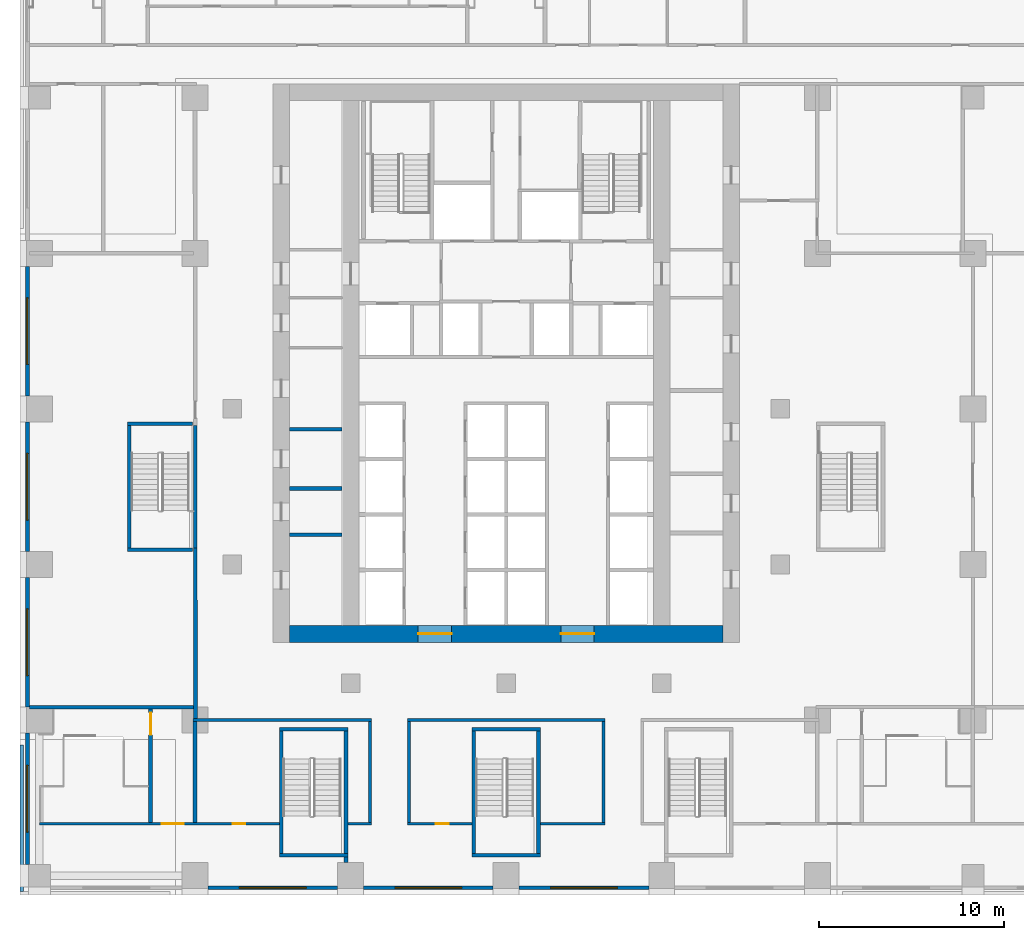
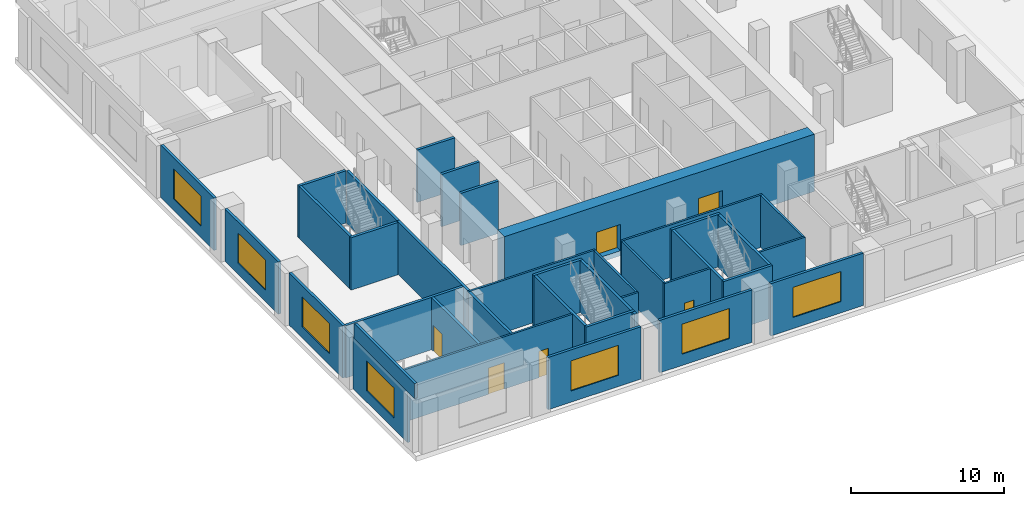
# One storey, part 3 of 16: 37 walls, 7 windows, 6 doors, 13 openings.
"""IFC4 building model written with IfcOpenShell, lengths in metres."""

from ifc_helpers import new_model, si_unit, direction, frame, frame_2d, origin, place, context, subcontext, project, spatial, rectangle, extrude, material, layer, layer_set, type_object, element, fill, save


model = new_model("IFC4")

# Units and contexts
model_context = context("Model", 3, precision=1e-05, world=origin(), true_north=direction((0.0, 1.0)))
body_context = subcontext(model_context, "Body", "Model", "MODEL_VIEW")
ifc_project = project(units=[si_unit("LENGTHUNIT", "METRE"), si_unit("AREAUNIT", "SQUARE_METRE"), si_unit("VOLUMEUNIT", "CUBIC_METRE"), si_unit("PLANEANGLEUNIT", "RADIAN"), si_unit("MASSUNIT", "GRAM", prefix="KILO")], contexts=[model_context])

# Site, building, storey
site_placement = place(None, origin())
site = spatial("IfcSite", under=ifc_project, at=site_placement, CompositionType="ELEMENT")
building_placement = place(site_placement, origin())
building = spatial("IfcBuilding", under=site, at=building_placement, Name="Vermilion Ogive Tower", CompositionType="ELEMENT")
storey_placement = place(building_placement, frame((0.0, 0.0, 30.0)))
storey = spatial("IfcBuildingStorey", under=building, at=storey_placement, Name="L05", CompositionType="ELEMENT", Elevation=30.0)

# Wall, openings, doors
ifc_material_1 = material(Name="Concrete B80", Category="concrete")
ifc_layer_1 = layer(ifc_material_1, 0.89990234375)
ifc_layer_set_1 = layer_set([ifc_layer_1], Name="Core wall 900 B80")
wall_type_1 = type_object("IfcWallType", Name="Core wall 900 B80", PredefinedType="SHEAR", material=ifc_layer_set_1)
wall_1_placement = place(storey_placement, frame((-11.699951171875, -7.949951171875, -0.39990234375), z_axis=(0.0, 0.0, 1.0), x_axis=(1.0, 0.0, 0.0)))
wall_1 = element("IfcWall", 1, at=wall_1_placement, inside=storey, type_object=wall_type_1, Name="L05-CORE-S", PredefinedType="SHEAR", context=body_context, shape_type="SweptSolid", body=[
    extrude(rectangle(XDim=23.39990234375, YDim=0.89990234375, at=frame_2d((11.699951171875, 0.0))), origin(), (0.0, 0.0, 1.0), 4.579833984375),
])
opening_1_placement = place(wall_1_placement, frame((6.949951171875, 0.0, 0.39990234375)))
opening_1 = element("IfcOpeningElement", 2, at=opening_1_placement, cuts=wall_1, Name="Opening DAR011", PredefinedType="OPENING", context=body_context, shape_type="SweptSolid", body=[
    extrude(rectangle(XDim=1.800048828125, YDim=2.10009765625, at=frame_2d((0.89990234375, 1.050048828125))), frame((0.0, 0.4599609375, 0.0), z_axis=(0.0, -1.0, 0.0), x_axis=(1.0, 0.0, 0.0)), (0.0, 0.0, 1.0), 0.919921875),
])
opening_2_placement = place(wall_1_placement, frame((14.64990234375, 0.0, 0.39990234375)))
opening_2 = element("IfcOpeningElement", 3, at=opening_2_placement, cuts=wall_1, Name="Opening DAR012", PredefinedType="OPENING", context=body_context, shape_type="SweptSolid", body=[
    extrude(rectangle(XDim=1.800048828125, YDim=2.10009765625, at=frame_2d((0.89990234375, 1.050048828125))), frame((0.0, 0.4599609375, 0.0), z_axis=(0.0, -1.0, 0.0), x_axis=(1.0, 0.0, 0.0)), (0.0, 0.0, 1.0), 0.919921875),
])
ifc_material_2 = material(Name="Timber door leaf", Category="wood")
door_type_1 = type_object("IfcDoorType", Name="Core entry door 1800 x 2100 FD60S", OperationType="DOUBLE_DOOR_SINGLE_SWING", PredefinedType="DOOR", material=ifc_material_2)
door_1_placement = place(opening_1_placement, origin())
door_1 = element("IfcDoor", 4, at=door_1_placement, inside=storey, type_object=door_type_1, Name="L05-CK-XD1", OperationType="SINGLE_SWING_LEFT", OverallHeight=2.10009765625, OverallWidth=1.800048828125, PredefinedType="DOOR", context=body_context, shape_type="SweptSolid", body=[
    extrude(rectangle(XDim=1.800048828125, YDim=2.10009765625, at=frame_2d((0.89990234375, 1.050048828125))), frame((0.0, 0.02490234375, 0.0), z_axis=(0.0, -1.0, 0.0), x_axis=(1.0, 0.0, 0.0)), (0.0, 0.0, 1.0), 0.050048828125),
])
fill(opening_1, door_1)
door_2_placement = place(opening_2_placement, origin())
door_2 = element("IfcDoor", 5, at=door_2_placement, inside=storey, type_object=door_type_1, Name="L05-CK-XD2", OperationType="SINGLE_SWING_LEFT", OverallHeight=2.10009765625, OverallWidth=1.800048828125, PredefinedType="DOOR", context=body_context, shape_type="SweptSolid", body=[
    extrude(rectangle(XDim=1.800048828125, YDim=2.10009765625, at=frame_2d((0.89990234375, 1.050048828125))), frame((0.0, 0.02490234375, 0.0), z_axis=(0.0, -1.0, 0.0), x_axis=(1.0, 0.0, 0.0)), (0.0, 0.0, 1.0), 0.050048828125),
])
fill(opening_2, door_2)

ifc_material_3 = material(Name="Gypsum board partition on steel studs", Category="steel")
ifc_layer_2 = layer(ifc_material_3, 0.14990234375)
ifc_layer_set_2 = layer_set([ifc_layer_2], Name="Partition 150 corridor")
wall_type_2 = type_object("IfcWallType", Name="Partition 150 corridor", PredefinedType="PARTITIONING", material=ifc_layer_set_2)
wall_2_placement = place(storey_placement, frame((-25.199951171875, -18.199951171875, 0.0), z_axis=(0.0, 0.0, 1.0), x_axis=(1.0, 0.0, 0.0)))
wall_2 = element("IfcWall", 6, at=wall_2_placement, inside=storey, type_object=wall_type_2, Name="L05-FS-W-W002", PredefinedType="PARTITIONING", context=body_context, shape_type="SweptSolid", body=[
    extrude(rectangle(XDim=12.949951171875, YDim=0.14990234375, at=frame_2d((6.47509765625, 0.0))), origin(), (0.0, 0.0, 1.0), 4.179931640625),
])
opening_3_placement = place(wall_2_placement, frame((6.599853515625, 0.0, 0.0)))
opening_3 = element("IfcOpeningElement", 7, at=opening_3_placement, cuts=wall_2, Name="Opening L05S010", PredefinedType="OPENING", context=body_context, shape_type="SweptSolid", body=[
    extrude(rectangle(XDim=1.199951171875, YDim=2.10009765625, at=frame_2d((0.60009765625, 1.050048828125))), frame((0.0, 0.0849609375, 0.0), z_axis=(0.0, -1.0, 0.0), x_axis=(1.0, 0.0, 0.0)), (0.0, 0.0, 1.0), 0.169921875),
])
opening_4_placement = place(wall_2_placement, frame((10.4248046875, 0.0, 0.0)))
opening_4 = element("IfcOpeningElement", 8, at=opening_4_placement, cuts=wall_2, Name="Opening L05S031", PredefinedType="OPENING", context=body_context, shape_type="SweptSolid", body=[
    extrude(rectangle(XDim=0.699951171875, YDim=2.10009765625, at=frame_2d((0.35009765625, 1.050048828125))), frame((0.0, 0.0849609375, 0.0), z_axis=(0.0, -1.0, 0.0), x_axis=(1.0, 0.0, 0.0)), (0.0, 0.0, 1.0), 0.169921875),
])
ifc_material_4 = material(Name="Timber door leaf", Category="wood")
door_type_2 = type_object("IfcDoorType", Name="Room door 700 x 2100 FD30", OperationType="SINGLE_SWING_LEFT", PredefinedType="DOOR", material=ifc_material_4)
door_3_placement = place(opening_4_placement, origin())
door_3 = element("IfcDoor", 9, at=door_3_placement, inside=storey, type_object=door_type_2, Name="L05-FS-D-D031", OperationType="SINGLE_SWING_RIGHT", OverallHeight=2.10009765625, OverallWidth=0.699951171875, PredefinedType="DOOR", context=body_context, shape_type="SweptSolid", body=[
    extrude(rectangle(XDim=0.699951171875, YDim=2.10009765625, at=frame_2d((0.35009765625, 1.050048828125))), frame((0.0, 0.02490234375, 0.0), z_axis=(0.0, -1.0, 0.0), x_axis=(1.0, 0.0, 0.0)), (0.0, 0.0, 1.0), 0.050048828125),
])
fill(opening_4, door_3)
ifc_material_5 = material(Name="Timber door leaf", Category="wood")
door_type_3 = type_object("IfcDoorType", Name="Stair door 1200 x 2100 FD60S", OperationType="SINGLE_SWING_LEFT", PredefinedType="DOOR", material=ifc_material_5)
door_4_placement = place(opening_3_placement, origin())
door_4 = element("IfcDoor", 10, at=door_4_placement, inside=storey, type_object=door_type_3, Name="L05-FS-D-D010", OperationType="SINGLE_SWING_RIGHT", OverallHeight=2.10009765625, OverallWidth=1.199951171875, PredefinedType="DOOR", context=body_context, shape_type="SweptSolid", body=[
    extrude(rectangle(XDim=1.199951171875, YDim=2.10009765625, at=frame_2d((0.60009765625, 1.050048828125))), frame((0.0, 0.02490234375, 0.0), z_axis=(0.0, -1.0, 0.0), x_axis=(1.0, 0.0, 0.0)), (0.0, 0.0, 1.0), 0.050048828125),
])
fill(opening_3, door_4)

# Wall
wall_3_placement = place(storey_placement, frame((-8.550048828125, -18.199951171875, 0.0), z_axis=(0.0, 0.0, 1.0), x_axis=(1.0, 0.0, 0.0)))
element("IfcWall", 11, at=wall_3_placement, inside=storey, type_object=wall_type_2, Name="L05-FS-W-W003", PredefinedType="PARTITIONING", context=body_context, shape_type="SweptSolid", body=[
    extrude(rectangle(XDim=1.275146484375, YDim=0.14990234375, at=frame_2d((0.6376953125, 0.0))), origin(), (0.0, 0.0, 1.0), 4.179931640625),
])

# Wall, opening, door
wall_4_placement = place(storey_placement, frame((-5.324951171875, -18.199951171875, 0.0), z_axis=(0.0, 0.0, 1.0), x_axis=(1.0, 0.0, 0.0)))
wall_4 = element("IfcWall", 12, at=wall_4_placement, inside=storey, type_object=wall_type_2, Name="L05-FS-W-W004", PredefinedType="PARTITIONING", context=body_context, shape_type="SweptSolid", body=[
    extrude(rectangle(XDim=3.474853515625, YDim=0.14990234375, at=frame_2d((1.7373046875, 0.0))), origin(), (0.0, 0.0, 1.0), 4.179931640625),
])
opening_5_placement = place(wall_4_placement, frame((1.52490234375, 0.0, 0.0)))
opening_5 = element("IfcOpeningElement", 13, at=opening_5_placement, cuts=wall_4, Name="Opening L05S032", PredefinedType="OPENING", context=body_context, shape_type="SweptSolid", body=[
    extrude(rectangle(XDim=0.699951171875, YDim=2.10009765625, at=frame_2d((0.35009765625, 1.050048828125))), frame((0.0, 0.0849609375, 0.0), z_axis=(0.0, -1.0, 0.0), x_axis=(1.0, 0.0, 0.0)), (0.0, 0.0, 1.0), 0.169921875),
])
door_5_placement = place(opening_5_placement, origin())
door_5 = element("IfcDoor", 14, at=door_5_placement, inside=storey, type_object=door_type_2, Name="L05-FS-D-D032", OperationType="SINGLE_SWING_LEFT", OverallHeight=2.10009765625, OverallWidth=0.699951171875, PredefinedType="DOOR", context=body_context, shape_type="SweptSolid", body=[
    extrude(rectangle(XDim=0.699951171875, YDim=2.10009765625, at=frame_2d((0.35009765625, 1.050048828125))), frame((0.0, 0.02490234375, 0.0), z_axis=(0.0, -1.0, 0.0), x_axis=(1.0, 0.0, 0.0)), (0.0, 0.0, 1.0), 0.050048828125),
])
fill(opening_5, door_5)

# Walls
wall_5_placement = place(storey_placement, frame((1.85009765625, -18.199951171875, 0.0), z_axis=(0.0, 0.0, 1.0), x_axis=(1.0, 0.0, 0.0)))
element("IfcWall", 15, at=wall_5_placement, inside=storey, type_object=wall_type_2, Name="L05-FS-W-W005", PredefinedType="PARTITIONING", context=body_context, shape_type="SweptSolid", body=[
    extrude(rectangle(XDim=3.474853515625, YDim=0.14990234375, at=frame_2d((1.7373046875, 0.0))), origin(), (0.0, 0.0, 1.0), 4.179931640625),
])
wall_6_placement = place(storey_placement, frame((-16.89990234375, -12.60009765625, 0.0), z_axis=(0.0, 0.0, 1.0), x_axis=(1.0, 0.0, 0.0)))
element("IfcWall", 16, at=wall_6_placement, inside=storey, type_object=wall_type_2, Name="L05-FS-W-W008", PredefinedType="PARTITIONING", context=body_context, shape_type="SweptSolid", body=[
    extrude(rectangle(XDim=9.625, YDim=0.14990234375, at=frame_2d((4.8125, 0.0))), origin(), (0.0, 0.0, 1.0), 4.179931640625),
])
wall_7_placement = place(storey_placement, frame((-5.324951171875, -12.60009765625, 0.0), z_axis=(0.0, 0.0, 1.0), x_axis=(1.0, 0.0, 0.0)))
element("IfcWall", 17, at=wall_7_placement, inside=storey, type_object=wall_type_2, Name="L05-FS-W-W009", PredefinedType="PARTITIONING", context=body_context, shape_type="SweptSolid", body=[
    extrude(rectangle(XDim=10.64990234375, YDim=0.14990234375, at=frame_2d((5.324951171875, 0.0))), origin(), (0.0, 0.0, 1.0), 4.179931640625),
])
for number, where, z_axis, x_axis, name in (
    (18, (-7.35009765625, -18.125, 0.0), (0.0, 0.0, 1.0), (0.0, 1.0, 0.0), "L05-FS-W-W034"),
    (19, (-5.25, -18.125, 0.0), (0.0, 0.0, 1.0), (0.0, 1.0, 0.0), "L05-FS-W-W035"),
    (20, (5.25, -18.125, 0.0), (0.0, 0.0, 1.0), (0.0, 1.0, 0.0), "L05-FS-W-W041"),
):
    element("IfcWall", number, at=place(storey_placement, frame(where, z_axis=z_axis, x_axis=x_axis)), inside=storey, type_object=wall_type_2, Name=name, PredefinedType="PARTITIONING", context=body_context, shape_type="SweptSolid", body=[
        extrude(rectangle(XDim=5.449951171875, YDim=0.14990234375, at=frame_2d((2.72509765625, 0.0))), origin(), (0.0, 0.0, 1.0), 4.179931640625),
    ])
ifc_material_6 = material(Name="Gypsum board partition on steel studs", Category="steel")
ifc_layer_3 = layer(ifc_material_6, 0.199951171875)
ifc_layer_set_3 = layer_set([ifc_layer_3], Name="Partition 200 party")
wall_type_3 = type_object("IfcWallType", Name="Partition 200 party", PredefinedType="PARTITIONING", material=ifc_layer_set_3)
wall_8_placement = place(storey_placement, frame((-25.75, -11.89990234375, 0.0), z_axis=(0.0, 0.0, 1.0), x_axis=(1.0, 0.0, 0.0)))
element("IfcWall", 21, at=wall_8_placement, inside=storey, type_object=wall_type_3, Name="L05-FS-W-W011", PredefinedType="PARTITIONING", context=body_context, shape_type="SweptSolid", body=[
    extrude(rectangle(XDim=8.875, YDim=0.199951171875, at=frame_2d((4.4375, 0.0))), origin(), (0.0, 0.0, 1.0), 4.179931640625),
])

# Wall, opening, door
wall_9_placement = place(storey_placement, frame((-19.199951171875, -18.125, 0.0), z_axis=(0.0, 0.0, 1.0), x_axis=(0.0, 1.0, 0.0)))
wall_9 = element("IfcWall", 22, at=wall_9_placement, inside=storey, type_object=wall_type_3, Name="L05-FS-W-W030", PredefinedType="PARTITIONING", context=body_context, shape_type="SweptSolid", body=[
    extrude(rectangle(XDim=6.125, YDim=0.199951171875, at=frame_2d((3.0625, 0.0))), origin(), (0.0, 0.0, 1.0), 4.179931640625),
])
opening_6_placement = place(wall_9_placement, frame((4.72509765625, 0.0, 0.0)))
opening_6 = element("IfcOpeningElement", 23, at=opening_6_placement, cuts=wall_9, Name="Opening L05S004", PredefinedType="OPENING", context=body_context, shape_type="SweptSolid", body=[
    extrude(rectangle(XDim=1.199951171875, YDim=2.10009765625, at=frame_2d((0.60009765625, 1.050048828125))), frame((0.0, 0.10986328125, 0.0), z_axis=(0.0, -1.0, 0.0), x_axis=(1.0, 0.0, 0.0)), (0.0, 0.0, 1.0), 0.219970703125),
])
door_6_placement = place(opening_6_placement, origin())
door_6 = element("IfcDoor", 24, at=door_6_placement, inside=storey, type_object=door_type_3, Name="L05-FS-D-D004", OperationType="DOUBLE_DOOR_SINGLE_SWING", OverallHeight=2.10009765625, OverallWidth=1.199951171875, PredefinedType="DOOR", context=body_context, shape_type="SweptSolid", body=[
    extrude(rectangle(XDim=1.199951171875, YDim=2.10009765625, at=frame_2d((0.60009765625, 1.050048828125))), frame((0.0, 0.02490234375, 0.0), z_axis=(0.0, -1.0, 0.0), x_axis=(1.0, 0.0, 0.0)), (0.0, 0.0, 1.0), 0.050048828125),
])
fill(opening_6, door_6)

# Walls
wall_10_placement = place(storey_placement, frame((-16.800048828125, -18.125, 0.0), z_axis=(0.0, 0.0, 1.0), x_axis=(0.0, 1.0, 0.0)))
element("IfcWall", 25, at=wall_10_placement, inside=storey, type_object=wall_type_3, Name="L05-FS-W-W031", PredefinedType="PARTITIONING", context=body_context, shape_type="SweptSolid", body=[
    extrude(rectangle(XDim=5.449951171875, YDim=0.199951171875, at=frame_2d((2.72509765625, 0.0))), origin(), (0.0, 0.0, 1.0), 4.179931640625),
])
for number, where, z_axis, x_axis, name in (
    (26, (-11.698974609375, -2.60009765625, 0.0), (0.0, 0.0, 1.0), (1.0, 0.0, 0.0), "L05-CKW-W-W001"),
    (27, (-11.698974609375, -0.10009765625, 0.0), (0.0, 0.0, 1.0), (1.0, 0.0, 0.0), "L05-CKW-W-W002"),
    (28, (-11.698974609375, 3.10009765625, 0.0), (0.0, 0.0, 1.0), (1.0, 0.0, 0.0), "L05-CKW-W-W003"),
):
    element("IfcWall", number, at=place(storey_placement, frame(where, z_axis=z_axis, x_axis=x_axis)), inside=storey, type_object=wall_type_3, Name=name, PredefinedType="PARTITIONING", context=body_context, shape_type="SweptSolid", body=[
        extrude(rectangle(XDim=2.847900390625, YDim=0.199951171875, at=frame_2d((1.423828125, 0.0))), origin(), (0.0, 0.0, 1.0), 4.179931640625),
    ])
ifc_material_7 = material(Name="Concrete B60", Category="concrete")
ifc_layer_4 = layer(ifc_material_7, 0.199951171875)
ifc_layer_set_4 = layer_set([ifc_layer_4], Name="Stair shaft wall 200 Concrete B60")
wall_type_4 = type_object("IfcWallType", Name="Stair shaft wall 200 Concrete B60", PredefinedType="SOLIDWALL", material=ifc_layer_set_4)
wall_11_placement = place(storey_placement, frame((-16.78173828125, -3.300048828125, 0.0), z_axis=(0.0, 0.0, 1.0), x_axis=(-0.000739808927, 0.999999726341, 0.0)))
element("IfcWall", 29, at=wall_11_placement, inside=storey, type_object=wall_type_4, Name="L05-FS-W-W032", PredefinedType="SOLIDWALL", context=body_context, shape_type="SweptSolid", body=[
    extrude(rectangle(XDim=6.60009765625, YDim=0.199951171875, at=frame_2d((3.300048828125, 0.0))), origin(), (0.0, 0.0, 1.0), 4.179931640625),
])
for number, where, z_axis, x_axis, name in (
    (30, (-12.25, -19.89990234375, 0.0), (0.0, 0.0, 1.0), (1.0, 0.0, 0.0), "L05-SW-ST3-S1"),
    (31, (-12.25, -13.10009765625, 0.0), (0.0, 0.0, 1.0), (1.0, 0.0, 0.0), "L05-SW-ST3-N1"),
):
    element("IfcWall", number, at=place(storey_placement, frame(where, z_axis=z_axis, x_axis=x_axis)), inside=storey, type_object=wall_type_4, Name=name, PredefinedType="SOLIDWALL", context=body_context, shape_type="SweptSolid", body=[
        extrude(rectangle(XDim=3.699951171875, YDim=0.199951171875, at=frame_2d((1.85009765625, 0.0))), origin(), (0.0, 0.0, 1.0), 4.179931640625),
    ])
wall_12_placement = place(storey_placement, frame((-12.14990234375, -19.800048828125, 0.0), z_axis=(0.0, 0.0, 1.0), x_axis=(0.0, 1.0, 0.0)))
element("IfcWall", 32, at=wall_12_placement, inside=storey, type_object=wall_type_4, Name="L05-SW-ST3-W1", PredefinedType="SOLIDWALL", context=body_context, shape_type="SweptSolid", body=[
    extrude(rectangle(XDim=6.60009765625, YDim=0.199951171875, at=frame_2d((3.300048828125, 0.0))), origin(), (0.0, 0.0, 1.0), 4.179931640625),
])
wall_13_placement = place(storey_placement, frame((-8.64990234375, -20.300048828125, 0.0), z_axis=(0.0, 0.0, 1.0), x_axis=(0.0, 1.0, 0.0)))
element("IfcWall", 33, at=wall_13_placement, inside=storey, type_object=wall_type_4, Name="L05-SW-ST3-E1", PredefinedType="SOLIDWALL", context=body_context, shape_type="SweptSolid", body=[
    extrude(rectangle(XDim=7.10009765625, YDim=0.199951171875, at=frame_2d((3.550048828125, 0.0))), origin(), (0.0, 0.0, 1.0), 4.179931640625),
])
for number, where, z_axis, x_axis, name in (
    (34, (-1.85009765625, -19.89990234375, 0.0), (0.0, 0.0, 1.0), (1.0, 0.0, 0.0), "L05-SW-ST4-S1"),
    (35, (-1.85009765625, -13.10009765625, 0.0), (0.0, 0.0, 1.0), (1.0, 0.0, 0.0), "L05-SW-ST4-N1"),
):
    element("IfcWall", number, at=place(storey_placement, frame(where, z_axis=z_axis, x_axis=x_axis)), inside=storey, type_object=wall_type_4, Name=name, PredefinedType="SOLIDWALL", context=body_context, shape_type="SweptSolid", body=[
        extrude(rectangle(XDim=3.7001953125, YDim=0.199951171875, at=frame_2d((1.85009765625, 0.0))), origin(), (0.0, 0.0, 1.0), 4.179931640625),
    ])
for number, where, z_axis, x_axis, name in (
    (36, (-1.75, -19.800048828125, 0.0), (0.0, 0.0, 1.0), (0.0, 1.0, 0.0), "L05-SW-ST4-W1"),
    (37, (1.75, -19.800048828125, 0.0), (0.0, 0.0, 1.0), (0.0, 1.0, 0.0), "L05-SW-ST4-E1"),
):
    element("IfcWall", number, at=place(storey_placement, frame(where, z_axis=z_axis, x_axis=x_axis)), inside=storey, type_object=wall_type_4, Name=name, PredefinedType="SOLIDWALL", context=body_context, shape_type="SweptSolid", body=[
        extrude(rectangle(XDim=6.60009765625, YDim=0.199951171875, at=frame_2d((3.300048828125, 0.0))), origin(), (0.0, 0.0, 1.0), 4.179931640625),
    ])
for number, where, z_axis, x_axis, name in (
    (38, (-20.449951171875, -3.39990234375, 0.0), (0.0, 0.0, 1.0), (1.0, 0.0, 0.0), "L05-SW-ST9-S1"),
    (39, (-20.449951171875, 3.39990234375, 0.0), (0.0, 0.0, 1.0), (1.0, 0.0, 0.0), "L05-SW-ST9-N1"),
):
    element("IfcWall", number, at=place(storey_placement, frame(where, z_axis=z_axis, x_axis=x_axis)), inside=storey, type_object=wall_type_4, Name=name, PredefinedType="SOLIDWALL", context=body_context, shape_type="SweptSolid", body=[
        extrude(rectangle(XDim=3.52490234375, YDim=0.199951171875, at=frame_2d((1.762451171875, 0.0))), origin(), (0.0, 0.0, 1.0), 4.179931640625),
    ])
wall_14_placement = place(storey_placement, frame((-16.775146484375, -12.52490234375, 0.0), z_axis=(0.0, 0.0, 1.0), x_axis=(-0.000714569091, 0.999999744695, 0.0)))
element("IfcWall", 40, at=wall_14_placement, inside=storey, type_object=wall_type_4, Name="L05-FS-W-W032-A", PredefinedType="SOLIDWALL", context=body_context, shape_type="SweptSolid", body=[
    extrude(rectangle(XDim=9.224853515625, YDim=0.199951171875, at=frame_2d((4.6123046875, 0.0))), origin(), (0.0, 0.0, 1.0), 4.179931640625),
])
wall_15_placement = place(storey_placement, frame((-20.35009765625, -3.300048828125, 0.0), z_axis=(0.0, 0.0, 1.0), x_axis=(0.0, 1.0, 0.0)))
element("IfcWall", 41, at=wall_15_placement, inside=storey, type_object=wall_type_4, Name="L05-SW-ST9-W1-A-A", PredefinedType="SOLIDWALL", context=body_context, shape_type="SweptSolid", body=[
    extrude(rectangle(XDim=6.60009765625, YDim=0.199951171875, at=frame_2d((3.300048828125, 0.0))), origin(), (0.0, 0.0, 1.0), 4.179931640625),
])
ifc_material_8 = material(Name="Concrete B45", Category="concrete")
ifc_layer_5 = layer(ifc_material_8, 0.199951171875)
ifc_layer_set_5 = layer_set([ifc_layer_5], Name="Terrace parapet RC Concrete B45")
wall_type_5 = type_object("IfcWallType", Name="Terrace parapet RC Concrete B45", PredefinedType="PARAPET", material=ifc_layer_set_5)
wall_16_placement = place(storey_placement, frame((-26.14990234375, -21.85009765625, 4.5), z_axis=(0.0, 0.0, 1.0), x_axis=(0.0, 1.0, 0.0)))
element("IfcWall", 42, at=wall_16_placement, inside=storey, type_object=wall_type_5, Name="L05 terrace parapet 2", PredefinedType="PARAPET", context=body_context, shape_type="SweptSolid", body=[
    extrude(rectangle(XDim=7.900146484375, YDim=0.199951171875, at=frame_2d((3.9501953125, 0.0))), origin(), (0.0, 0.0, 1.0), 1.199951171875),
])

# Wall, opening, window
ifc_material_9 = material(Name="Aluminium window wall framing", Category="aluminium")
ifc_layer_6 = layer(ifc_material_9, 0.199951171875)
ifc_layer_set_6 = layer_set([ifc_layer_6], Name="Window wall")
wall_type_6 = type_object("IfcWallType", Name="Window wall", PredefinedType="STANDARD", material=ifc_layer_set_6)
wall_17_placement = place(storey_placement, frame((-16.10009765625, -21.64990234375, 0.0), z_axis=(0.0, 0.0, 1.0), x_axis=(1.0, 0.0, 0.0)))
wall_17 = element("IfcWall", 43, at=wall_17_placement, inside=storey, type_object=wall_type_6, Name="Window wall S2", PredefinedType="STANDARD", context=body_context, shape_type="SweptSolid", body=[
    extrude(rectangle(XDim=7.0, YDim=0.199951171875, at=frame_2d((3.5, 0.0))), origin(), (0.0, 0.0, 1.0), 4.179931640625),
])
opening_7_placement = place(wall_17_placement, frame((1.699951171875, 0.0, 0.89990234375)))
opening_7 = element("IfcOpeningElement", 44, at=opening_7_placement, cuts=wall_17, Name="Opening P-S2", PredefinedType="OPENING", context=body_context, shape_type="SweptSolid", body=[
    extrude(rectangle(XDim=3.60009765625, YDim=2.39990234375, at=frame_2d((1.800048828125, 1.199951171875))), frame((0.0, 0.10986328125, 0.0), z_axis=(0.0, -1.0, 0.0), x_axis=(1.0, 0.0, 0.0)), (0.0, 0.0, 1.0), 0.219970703125),
])
ifc_material_10 = material(Name="Aluminium framed double glazing", Category="aluminium")
window_type = type_object("IfcWindowType", Name="Podium window P 3600x2400 sill 900", PartitioningType="SINGLE_PANEL", PredefinedType="WINDOW", material=ifc_material_10)
window_1_placement = place(opening_7_placement, origin())
window_1 = element("IfcWindow", 45, at=window_1_placement, inside=storey, type_object=window_type, Name="Window S2", OverallHeight=2.39990234375, OverallWidth=3.60009765625, PartitioningType="SINGLE_PANEL", PredefinedType="WINDOW", context=body_context, shape_type="SweptSolid", body=[
    extrude(rectangle(XDim=3.60009765625, YDim=2.39990234375, at=frame_2d((1.800048828125, 1.199951171875))), frame((0.0, 0.030029296875, 0.0), z_axis=(0.0, -1.0, 0.0), x_axis=(1.0, 0.0, 0.0)), (0.0, 0.0, 1.0), 0.06005859375),
])
fill(opening_7, window_1)

wall_18_placement = place(storey_placement, frame((-7.699951171875, -21.64990234375, 0.0), z_axis=(0.0, 0.0, 1.0), x_axis=(1.0, 0.0, 0.0)))
wall_18 = element("IfcWall", 46, at=wall_18_placement, inside=storey, type_object=wall_type_6, Name="Window wall S3", PredefinedType="STANDARD", context=body_context, shape_type="SweptSolid", body=[
    extrude(rectangle(XDim=7.0, YDim=0.199951171875, at=frame_2d((3.5, 0.0))), origin(), (0.0, 0.0, 1.0), 4.179931640625),
])
opening_8_placement = place(wall_18_placement, frame((1.699951171875, 0.0, 0.89990234375)))
opening_8 = element("IfcOpeningElement", 47, at=opening_8_placement, cuts=wall_18, Name="Opening P-S3", PredefinedType="OPENING", context=body_context, shape_type="SweptSolid", body=[
    extrude(rectangle(XDim=3.60009765625, YDim=2.39990234375, at=frame_2d((1.800048828125, 1.199951171875))), frame((0.0, 0.10986328125, 0.0), z_axis=(0.0, -1.0, 0.0), x_axis=(1.0, 0.0, 0.0)), (0.0, 0.0, 1.0), 0.219970703125),
])
window_2_placement = place(opening_8_placement, origin())
window_2 = element("IfcWindow", 48, at=window_2_placement, inside=storey, type_object=window_type, Name="Window S3", OverallHeight=2.39990234375, OverallWidth=3.60009765625, PartitioningType="SINGLE_PANEL", PredefinedType="WINDOW", context=body_context, shape_type="SweptSolid", body=[
    extrude(rectangle(XDim=3.60009765625, YDim=2.39990234375, at=frame_2d((1.800048828125, 1.199951171875))), frame((0.0, 0.030029296875, 0.0), z_axis=(0.0, -1.0, 0.0), x_axis=(1.0, 0.0, 0.0)), (0.0, 0.0, 1.0), 0.06005859375),
])
fill(opening_8, window_2)

wall_19_placement = place(storey_placement, frame((0.699951171875, -21.64990234375, 0.0), z_axis=(0.0, 0.0, 1.0), x_axis=(1.0, 0.0, 0.0)))
wall_19 = element("IfcWall", 49, at=wall_19_placement, inside=storey, type_object=wall_type_6, Name="Window wall S4", PredefinedType="STANDARD", context=body_context, shape_type="SweptSolid", body=[
    extrude(rectangle(XDim=7.0, YDim=0.199951171875, at=frame_2d((3.5, 0.0))), origin(), (0.0, 0.0, 1.0), 4.179931640625),
])
opening_9_placement = place(wall_19_placement, frame((1.699951171875, 0.0, 0.89990234375)))
opening_9 = element("IfcOpeningElement", 50, at=opening_9_placement, cuts=wall_19, Name="Opening P-S4", PredefinedType="OPENING", context=body_context, shape_type="SweptSolid", body=[
    extrude(rectangle(XDim=3.60009765625, YDim=2.39990234375, at=frame_2d((1.800048828125, 1.199951171875))), frame((0.0, 0.10986328125, 0.0), z_axis=(0.0, -1.0, 0.0), x_axis=(1.0, 0.0, 0.0)), (0.0, 0.0, 1.0), 0.219970703125),
])
window_3_placement = place(opening_9_placement, origin())
window_3 = element("IfcWindow", 51, at=window_3_placement, inside=storey, type_object=window_type, Name="Window S4", OverallHeight=2.39990234375, OverallWidth=3.60009765625, PartitioningType="SINGLE_PANEL", PredefinedType="WINDOW", context=body_context, shape_type="SweptSolid", body=[
    extrude(rectangle(XDim=3.60009765625, YDim=2.39990234375, at=frame_2d((1.800048828125, 1.199951171875))), frame((0.0, 0.030029296875, 0.0), z_axis=(0.0, -1.0, 0.0), x_axis=(1.0, 0.0, 0.0)), (0.0, 0.0, 1.0), 0.06005859375),
])
fill(opening_9, window_3)

wall_20_placement = place(storey_placement, frame((-25.85009765625, 11.89990234375, 0.0), z_axis=(0.0, 0.0, 1.0), x_axis=(0.0, -1.0, 0.0)))
wall_20 = element("IfcWall", 52, at=wall_20_placement, inside=storey, type_object=wall_type_6, Name="Window wall W3", PredefinedType="STANDARD", context=body_context, shape_type="SweptSolid", body=[
    extrude(rectangle(XDim=7.0, YDim=0.199951171875, at=frame_2d((3.5, 0.0))), origin(), (0.0, 0.0, 1.0), 4.179931640625),
])
opening_10_placement = place(wall_20_placement, frame((1.699951171875, 0.0, 0.89990234375)))
opening_10 = element("IfcOpeningElement", 53, at=opening_10_placement, cuts=wall_20, Name="Opening P-W3", PredefinedType="OPENING", context=body_context, shape_type="SweptSolid", body=[
    extrude(rectangle(XDim=3.60009765625, YDim=2.39990234375, at=frame_2d((1.800048828125, 1.199951171875))), frame((0.0, 0.10986328125, 0.0), z_axis=(0.0, -1.0, 0.0), x_axis=(1.0, 0.0, 0.0)), (0.0, 0.0, 1.0), 0.219970703125),
])
window_4_placement = place(opening_10_placement, origin())
window_4 = element("IfcWindow", 54, at=window_4_placement, inside=storey, type_object=window_type, Name="Window W3", OverallHeight=2.39990234375, OverallWidth=3.60009765625, PartitioningType="SINGLE_PANEL", PredefinedType="WINDOW", context=body_context, shape_type="SweptSolid", body=[
    extrude(rectangle(XDim=3.60009765625, YDim=2.39990234375, at=frame_2d((1.800048828125, 1.199951171875))), frame((0.0, 0.030029296875, 0.0), z_axis=(0.0, -1.0, 0.0), x_axis=(1.0, 0.0, 0.0)), (0.0, 0.0, 1.0), 0.06005859375),
])
fill(opening_10, window_4)

wall_21_placement = place(storey_placement, frame((-25.85009765625, 3.5, 0.0), z_axis=(0.0, 0.0, 1.0), x_axis=(0.0, -1.0, 0.0)))
wall_21 = element("IfcWall", 55, at=wall_21_placement, inside=storey, type_object=wall_type_6, Name="Window wall W4", PredefinedType="STANDARD", context=body_context, shape_type="SweptSolid", body=[
    extrude(rectangle(XDim=7.0, YDim=0.199951171875, at=frame_2d((3.5, 0.0))), origin(), (0.0, 0.0, 1.0), 4.179931640625),
])
opening_11_placement = place(wall_21_placement, frame((1.699951171875, 0.0, 0.89990234375)))
opening_11 = element("IfcOpeningElement", 56, at=opening_11_placement, cuts=wall_21, Name="Opening P-W4", PredefinedType="OPENING", context=body_context, shape_type="SweptSolid", body=[
    extrude(rectangle(XDim=3.60009765625, YDim=2.39990234375, at=frame_2d((1.800048828125, 1.199951171875))), frame((0.0, 0.10986328125, 0.0), z_axis=(0.0, -1.0, 0.0), x_axis=(1.0, 0.0, 0.0)), (0.0, 0.0, 1.0), 0.219970703125),
])
window_5_placement = place(opening_11_placement, origin())
window_5 = element("IfcWindow", 57, at=window_5_placement, inside=storey, type_object=window_type, Name="Window W4", OverallHeight=2.39990234375, OverallWidth=3.60009765625, PartitioningType="SINGLE_PANEL", PredefinedType="WINDOW", context=body_context, shape_type="SweptSolid", body=[
    extrude(rectangle(XDim=3.60009765625, YDim=2.39990234375, at=frame_2d((1.800048828125, 1.199951171875))), frame((0.0, 0.030029296875, 0.0), z_axis=(0.0, -1.0, 0.0), x_axis=(1.0, 0.0, 0.0)), (0.0, 0.0, 1.0), 0.06005859375),
])
fill(opening_11, window_5)

wall_22_placement = place(storey_placement, frame((-25.85009765625, -4.89990234375, 0.0), z_axis=(0.0, 0.0, 1.0), x_axis=(0.0, -1.0, 0.0)))
wall_22 = element("IfcWall", 58, at=wall_22_placement, inside=storey, type_object=wall_type_6, Name="Window wall W5", PredefinedType="STANDARD", context=body_context, shape_type="SweptSolid", body=[
    extrude(rectangle(XDim=7.0, YDim=0.199951171875, at=frame_2d((3.5, 0.0))), origin(), (0.0, 0.0, 1.0), 4.179931640625),
])
opening_12_placement = place(wall_22_placement, frame((1.699951171875, 0.0, 0.89990234375)))
opening_12 = element("IfcOpeningElement", 59, at=opening_12_placement, cuts=wall_22, Name="Opening P-W5", PredefinedType="OPENING", context=body_context, shape_type="SweptSolid", body=[
    extrude(rectangle(XDim=3.60009765625, YDim=2.39990234375, at=frame_2d((1.800048828125, 1.199951171875))), frame((0.0, 0.10986328125, 0.0), z_axis=(0.0, -1.0, 0.0), x_axis=(1.0, 0.0, 0.0)), (0.0, 0.0, 1.0), 0.219970703125),
])
window_6_placement = place(opening_12_placement, origin())
window_6 = element("IfcWindow", 60, at=window_6_placement, inside=storey, type_object=window_type, Name="Window W5", OverallHeight=2.39990234375, OverallWidth=3.60009765625, PartitioningType="SINGLE_PANEL", PredefinedType="WINDOW", context=body_context, shape_type="SweptSolid", body=[
    extrude(rectangle(XDim=3.60009765625, YDim=2.39990234375, at=frame_2d((1.800048828125, 1.199951171875))), frame((0.0, 0.030029296875, 0.0), z_axis=(0.0, -1.0, 0.0), x_axis=(1.0, 0.0, 0.0)), (0.0, 0.0, 1.0), 0.06005859375),
])
fill(opening_12, window_6)

wall_23_placement = place(storey_placement, frame((-25.85009765625, -13.300048828125, 0.0), z_axis=(0.0, 0.0, 1.0), x_axis=(0.0, -1.0, 0.0)))
wall_23 = element("IfcWall", 61, at=wall_23_placement, inside=storey, type_object=wall_type_6, Name="Window wall W6", PredefinedType="STANDARD", context=body_context, shape_type="SweptSolid", body=[
    extrude(rectangle(XDim=7.099853515625, YDim=0.199951171875, at=frame_2d((3.5498046875, 0.0))), origin(), (0.0, 0.0, 1.0), 4.179931640625),
])
opening_13_placement = place(wall_23_placement, frame((1.75, 0.0, 0.89990234375)))
opening_13 = element("IfcOpeningElement", 62, at=opening_13_placement, cuts=wall_23, Name="Opening P-W6", PredefinedType="OPENING", context=body_context, shape_type="SweptSolid", body=[
    extrude(rectangle(XDim=3.60009765625, YDim=2.39990234375, at=frame_2d((1.800048828125, 1.199951171875))), frame((0.0, 0.10986328125, 0.0), z_axis=(0.0, -1.0, 0.0), x_axis=(1.0, 0.0, 0.0)), (0.0, 0.0, 1.0), 0.219970703125),
])
window_7_placement = place(opening_13_placement, origin())
window_7 = element("IfcWindow", 63, at=window_7_placement, inside=storey, type_object=window_type, Name="Window W6", OverallHeight=2.39990234375, OverallWidth=3.60009765625, PartitioningType="SINGLE_PANEL", PredefinedType="WINDOW", context=body_context, shape_type="SweptSolid", body=[
    extrude(rectangle(XDim=3.60009765625, YDim=2.39990234375, at=frame_2d((1.800048828125, 1.199951171875))), frame((0.0, 0.030029296875, 0.0), z_axis=(0.0, -1.0, 0.0), x_axis=(1.0, 0.0, 0.0)), (0.0, 0.0, 1.0), 0.06005859375),
])
fill(opening_13, window_7)

save(model, "model.ifc")
